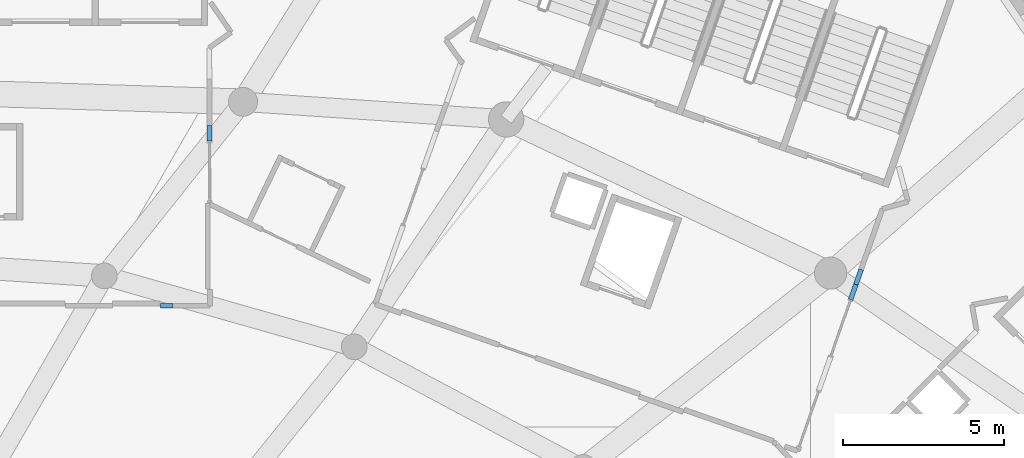
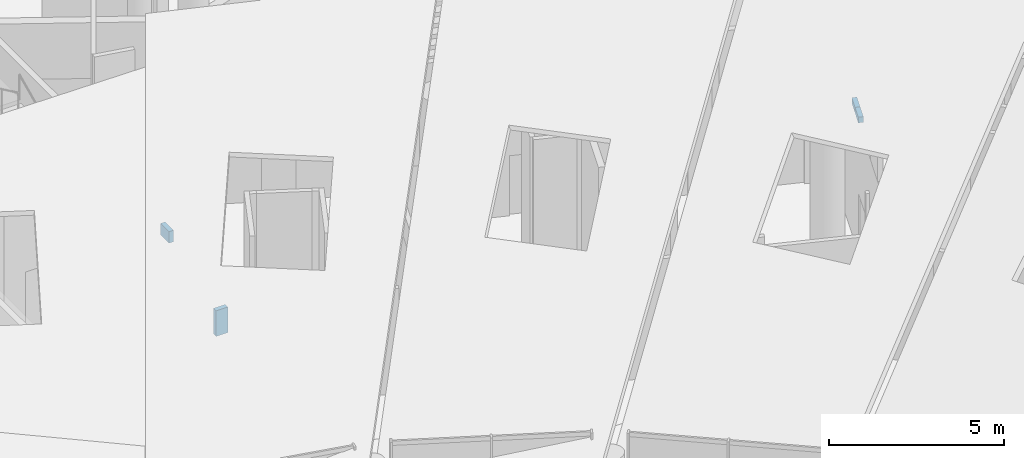
# One storey, part 181 of 249: 4 walls.
"""IFC4 building model written with IfcOpenShell, lengths in metres."""

from ifc_helpers import new_model, si_unit, direction, frame, frame_2d, origin, place, context, subcontext, project, spatial, rectangle, extrude, material, layer, layer_set, type_object, element, save


model = new_model("IFC4")

# Units and contexts
model_context = context("Model", 3, precision=1e-05, world=origin(), true_north=direction((0.0, 1.0)))
body_context = subcontext(model_context, "Body", "Model", "MODEL_VIEW")
ifc_project = project(units=[si_unit("LENGTHUNIT", "METRE"), si_unit("AREAUNIT", "SQUARE_METRE"), si_unit("VOLUMEUNIT", "CUBIC_METRE"), si_unit("PLANEANGLEUNIT", "RADIAN"), si_unit("MASSUNIT", "GRAM", prefix="KILO")], contexts=[model_context])

# Site, building, storey
site_placement = place(None, origin())
site = spatial("IfcSite", under=ifc_project, at=site_placement, CompositionType="ELEMENT")
building_placement = place(site_placement, origin())
building = spatial("IfcBuilding", under=site, at=building_placement, Name="Meseta Stadium", CompositionType="ELEMENT")
storey_placement = place(building_placement, frame((0.0, 0.0, 12.0)))
storey = spatial("IfcBuildingStorey", under=building, at=storey_placement, Name="L02", CompositionType="ELEMENT", Elevation=12.0)

# Walls
ifc_material = material(Name="Masonry blockwork", Category="masonry")
ifc_layer = layer(ifc_material, 0.14990234375)
ifc_layer_set = layer_set([ifc_layer], Name="Partition 150")
wall_type = type_object("IfcWallType", Name="Partition 150", PredefinedType="PARTITIONING", material=ifc_layer_set)
wall_1_placement = place(storey_placement, frame((65.243408203125, 83.966796875, 4.550048828125), z_axis=(0.0, 0.0, 1.0), x_axis=(0.330285037143, 0.943881239479, 0.0)))
element("IfcWall", 1, at=wall_1_placement, inside=storey, type_object=wall_type, Name="Stair vestibule wall L02 core 08", PredefinedType="PARTITIONING", context=body_context, shape_type="SweptSolid", body=[
    extrude(rectangle(XDim=0.4990234375, YDim=0.14990234375, at=frame_2d((0.24951171875, 0.0))), origin(), (0.0, 0.0, 1.0), 0.199951171875),
])
wall_2_placement = place(storey_placement, frame((65.408203125, 84.437744140625, 4.550048828125), z_axis=(0.0, 0.0, 1.0), x_axis=(0.330437645991, 0.9438278244, 0.0)))
element("IfcWall", 2, at=wall_2_placement, inside=storey, type_object=wall_type, Name="Stair vestibule wall L02 core 08", PredefinedType="PARTITIONING", context=body_context, shape_type="SweptSolid", body=[
    extrude(rectangle(XDim=0.498779296875, YDim=0.14990234375, at=frame_2d((0.24951171875, 0.0))), origin(), (0.0, 0.0, 1.0), 0.199951171875),
])
wall_3_placement = place(storey_placement, frame((43.764892578125, 83.776123046875, 4.75), z_axis=(0.0, 0.0, 1.0), x_axis=(1.0, 0.0, 0.0)))
element("IfcWall", 3, at=wall_3_placement, inside=storey, type_object=wall_type, Name="Stair vestibule wall L02 core 09", PredefinedType="PARTITIONING", context=body_context, shape_type="SweptSolid", body=[
    extrude(rectangle(XDim=0.3857421875, YDim=0.14990234375, at=frame_2d((0.19287109375, 0.0))), origin(), (0.0, 0.0, 1.0), 0.89990234375),
])
wall_4_placement = place(storey_placement, frame((45.291015625, 88.910400390625, 4.35009765625), z_axis=(0.0, 0.0, 1.0), x_axis=(-0.003535331442, 0.999993750696, 0.0)))
element("IfcWall", 4, at=wall_4_placement, inside=storey, type_object=wall_type, Name="Stair vestibule wall L02 core 09", PredefinedType="PARTITIONING", context=body_context, shape_type="SweptSolid", body=[
    extrude(rectangle(XDim=0.4833984375, YDim=0.14990234375, at=frame_2d((0.24169921875, 0.0))), origin(), (0.0, 0.0, 1.0), 0.39990234375),
])

save(model, "model.ifc")
